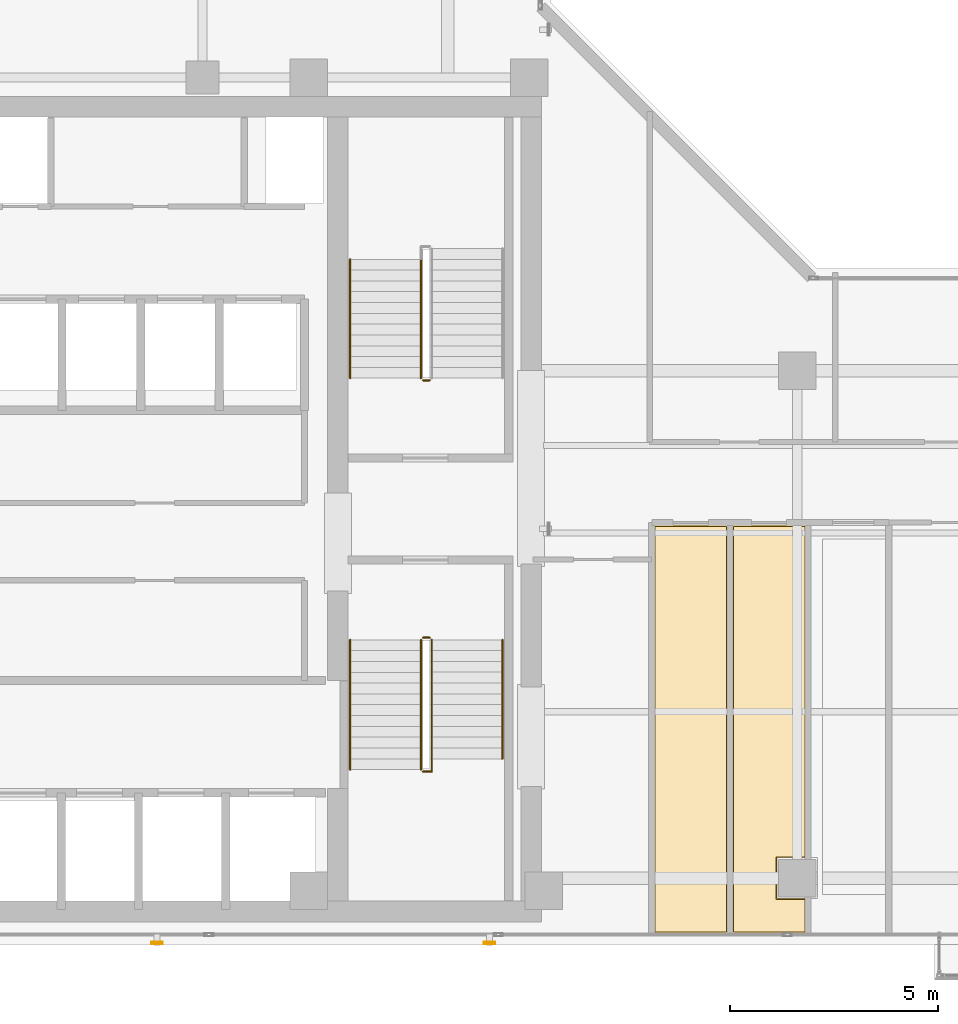
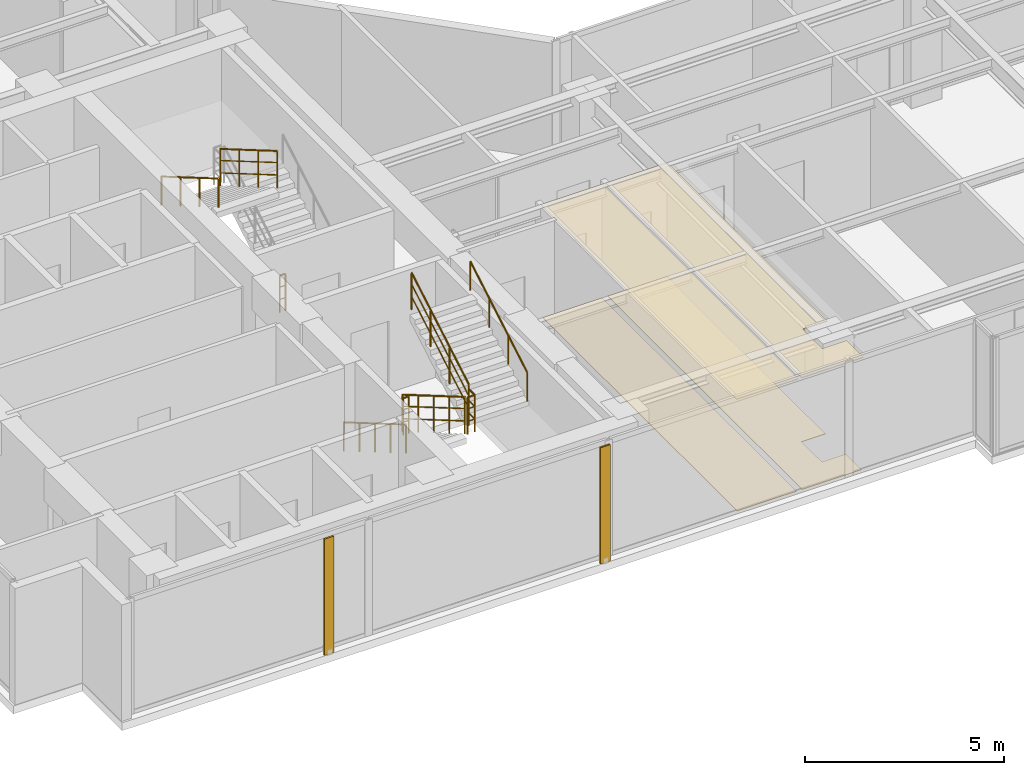
# One storey, part 20 of 22: 9 railings, 4 coverings, 2 shading devices.
"""IFC4 building model written with IfcOpenShell, lengths in metres."""

from ifc_helpers import new_model, si_unit, direction, frame, origin, origin_2d, place, context, subcontext, project, spatial, polyline, hollow_rectangle, circle, outline, extrude, material, layer, layer_set, material_profile, profile_set, type_object, element, save


model = new_model("IFC4")

# Units and contexts
model_context = context("Model", 3, precision=1e-05, world=origin(), true_north=direction((0.0, 1.0)))
body_context = subcontext(model_context, "Body", "Model", "MODEL_VIEW")
ifc_project = project(units=[si_unit("LENGTHUNIT", "METRE"), si_unit("AREAUNIT", "SQUARE_METRE"), si_unit("VOLUMEUNIT", "CUBIC_METRE"), si_unit("PLANEANGLEUNIT", "RADIAN"), si_unit("MASSUNIT", "GRAM", prefix="KILO")], contexts=[model_context])

# Site, building, storey
site_placement = place(None, origin())
site = spatial("IfcSite", under=ifc_project, at=site_placement, CompositionType="ELEMENT")
building_placement = place(site_placement, origin())
building = spatial("IfcBuilding", under=site, at=building_placement, Name="Kolvaren Waterfront Exchange", CompositionType="ELEMENT")
storey_placement = place(building_placement, frame((0.0, 0.0, 312.199951171875)))
storey = spatial("IfcBuildingStorey", under=building, at=storey_placement, Name="L80", CompositionType="ELEMENT", Elevation=312.199951171875)

# Coverings
ifc_material_1 = material(Name="Mineral fibre acoustic ceiling tile")
ifc_layer_1 = layer(ifc_material_1, 0.02490234375, Name="Mineral fibre acoustic ceiling tile")
ifc_layer_set_1 = layer_set([ifc_layer_1], Name="Mineral fibre acoustic ceiling tile")
covering_type_1 = type_object("IfcCoveringType", Name="ARC-CEIL-ACOUSTIC-25", PredefinedType="CEILING", material=ifc_layer_set_1)
covering_1_placement = place(storey_placement, frame((0.0, 0.0, 3.445068359375)))
element("IfcCovering", 1, at=covering_1_placement, inside=storey, type_object=covering_type_1, Name="L80 acoustic suspended ceiling 1", PredefinedType="CEILING", context=body_context, shape_type="SweptSolid", body=[
    extrude(outline(polyline([(25.534912109375, 3.864990234375), (25.534912109375, 13.695068359375), (23.7451171875, 13.695068359375), (23.7451171875, 3.864990234375), (25.534912109375, 3.864990234375)])), origin(), (0.0, 0.0, 1.0), 0.02490234375),
])
covering_2_placement = place(storey_placement, frame((0.0, 0.0, 3.445068359375)))
element("IfcCovering", 2, at=covering_2_placement, inside=storey, type_object=covering_type_1, Name="L80 acoustic suspended ceiling 2", PredefinedType="CEILING", context=body_context, shape_type="SweptSolid", body=[
    extrude(outline(polyline([(27.4150390625, 4.7099609375), (26.7099609375, 4.7099609375), (26.7099609375, 5.68994140625), (27.4150390625, 5.68994140625), (27.4150390625, 13.695068359375), (25.625, 13.695068359375), (25.625, 3.864990234375), (27.4150390625, 3.864990234375), (27.4150390625, 4.7099609375)])), origin(), (0.0, 0.0, 1.0), 0.02490234375),
])

# Shading devices
ifc_material_2 = material(Name="Anodised bronze aluminium 6063-T6", Category="aluminium")
ifc_material_profile = material_profile(ifc_material_2, hollow_rectangle(XDim=0.054931640625, YDim=0.280029296875, WallThickness=0.00439453125, at=origin_2d()), Name="BRZ-FIN-280x55x4.5")
ifc_profile_set = profile_set([ifc_material_profile], Name="Anodised bronze aluminium 6063-T6")
shading_device_type = type_object("IfcShadingDeviceType", Name="ARC-FIN-280", PredefinedType="USERDEFINED", material=ifc_profile_set)
for number, where, z_axis, x_axis, name in (
    (3, (11.800048828125, 3.639892578125, 0.0), (0.0, 0.0, 1.0), (0.0, -1.0, 0.0), "L80 anodised bronze solar shading fin FIN-L80-S1"),
    (4, (19.800048828125, 3.639892578125, 0.0), (0.0, 0.0, 1.0), (0.0, -1.0, 0.0), "L80 anodised bronze solar shading fin FIN-L80-S2"),
):
    element("IfcShadingDevice", number, at=place(storey_placement, frame(where, z_axis=z_axis, x_axis=x_axis)), inside=storey, type_object=shading_device_type, Name=name, ObjectType="SOLAR FIN", PredefinedType="USERDEFINED", context=body_context, shape_type="SweptSolid", body=[
        extrude(hollow_rectangle(XDim=0.054931640625, YDim=0.280029296875, WallThickness=0.00439453125, at=origin_2d()), origin(), (0.0, 0.0, 1.0), 3.56005859375),
    ])

# Coverings
ifc_material_3 = material(Name="Slip-resistant porcelain tile")
ifc_layer_2 = layer(ifc_material_3, 0.014892578125, Name="Slip-resistant porcelain tile")
ifc_layer_set_2 = layer_set([ifc_layer_2], Name="Slip-resistant porcelain tile")
covering_type_2 = type_object("IfcCoveringType", Name="ARC-FLR-PORC-15", PredefinedType="FLOORING", material=ifc_layer_set_2)
covering_3_placement = place(storey_placement, origin())
element("IfcCovering", 5, at=covering_3_placement, inside=storey, type_object=covering_type_2, Name="L80 floor finish 1", PredefinedType="FLOORING", context=body_context, shape_type="SweptSolid", body=[
    extrude(outline(polyline([(23.780029296875, 13.659912109375), (23.780029296875, 3.89990234375), (25.5, 3.89990234375), (25.5, 13.659912109375), (23.780029296875, 13.659912109375)])), origin(), (0.0, 0.0, 1.0), 0.01513671875),
])
covering_4_placement = place(storey_placement, origin())
element("IfcCovering", 6, at=covering_4_placement, inside=storey, type_object=covering_type_2, Name="L80 floor finish 2", PredefinedType="FLOORING", context=body_context, shape_type="SweptSolid", body=[
    extrude(outline(polyline([(25.659912109375, 13.659912109375), (25.659912109375, 3.89990234375), (27.3798828125, 3.89990234375), (27.3798828125, 4.68994140625), (26.68994140625, 4.68994140625), (26.68994140625, 5.7099609375), (27.3798828125, 5.7099609375), (27.3798828125, 13.659912109375), (25.659912109375, 13.659912109375)])), origin(), (0.0, 0.0, 1.0), 0.01513671875),
])

# Railings
ifc_material_4 = material(Name="Stainless steel 316", Category="steel")
railing_type_1 = type_object("IfcRailingType", Name="ARC-GUARD-STAIR", PredefinedType="GUARDRAIL", material=ifc_material_4)
railing_1_placement = place(storey_placement, frame((18.14990234375, 10.929931640625, 0.152099609375)))
element("IfcRailing", 7, at=railing_1_placement, inside=storey, type_object=railing_type_1, Name="L80 ST1 stair guard 1", PredefinedType="GUARDRAIL", context=body_context, shape_type="SweptSolid", body=[
    extrude(circle(Radius=0.02392578125, at=origin_2d()), frame((0.0, 0.0, 1.1259765625), z_axis=(0.0, -0.86329090724, 0.504706656858), x_axis=(1.0, 0.0, 0.0)), (0.0, 0.0, 1.0), 3.614013671875),
    extrude(circle(Radius=0.01611328125, at=origin_2d()), frame((0.0, 0.0, 0.390869140625), z_axis=(0.0, -0.86329090724, 0.504706656858), x_axis=(1.0, 0.0, 0.0)), (0.0, 0.0, 1.0), 3.614013671875),
    extrude(circle(Radius=0.01611328125, at=origin_2d()), frame((0.0, 0.0, 0.7705078125), z_axis=(0.0, -0.86329090724, 0.504706656858), x_axis=(1.0, 0.0, 0.0)), (0.0, 0.0, 1.0), 3.614013671875),
    extrude(circle(Radius=0.02099609375, at=origin_2d()), origin(), (0.0, 0.0, 1.0), 1.101806640625),
    extrude(circle(Radius=0.02099609375, at=origin_2d()), frame((0.0, -0.780029296875, 0.4560546875)), (0.0, 0.0, 1.0), 1.101806640625),
    extrude(circle(Radius=0.02099609375, at=origin_2d()), frame((0.0, -1.56005859375, 0.912109375)), (0.0, 0.0, 1.0), 1.101806640625),
    extrude(circle(Radius=0.02099609375, at=origin_2d()), frame((0.0, -2.33984375, 1.367919921875)), (0.0, 0.0, 1.0), 1.101806640625),
    extrude(circle(Radius=0.02099609375, at=origin_2d()), frame((0.0, -3.119873046875, 1.823974609375)), (0.0, 0.0, 1.0), 1.101806640625),
])
railing_2_placement = place(storey_placement, frame((18.199951171875, 7.760009765625, 1.97607421875)))
element("IfcRailing", 8, at=railing_2_placement, inside=storey, type_object=railing_type_1, Name="L80 ST1 stair guard 2", PredefinedType="GUARDRAIL", context=body_context, shape_type="SweptSolid", body=[
    extrude(circle(Radius=0.02392578125, at=origin_2d()), frame((0.0, 0.0, 1.1259765625), z_axis=(1.0, 0.0, 0.0), x_axis=(0.0, 1.0, 0.0)), (0.0, 0.0, 1.0), 0.2099609375),
    extrude(circle(Radius=0.01611328125, at=origin_2d()), frame((0.0, 0.0, 0.390869140625), z_axis=(1.0, 0.0, 0.0), x_axis=(0.0, 1.0, 0.0)), (0.0, 0.0, 1.0), 0.2099609375),
    extrude(circle(Radius=0.01611328125, at=origin_2d()), frame((0.0, 0.0, 0.7705078125), z_axis=(1.0, 0.0, 0.0), x_axis=(0.0, 1.0, 0.0)), (0.0, 0.0, 1.0), 0.2099609375),
    extrude(circle(Radius=0.02392578125, at=origin_2d()), frame((0.2099609375, 0.0, 1.1259765625), z_axis=(0.0, 1.0, 0.0), x_axis=(-1.0, 0.0, 0.0)), (0.0, 0.0, 1.0), 0.31005859375),
    extrude(circle(Radius=0.01611328125, at=origin_2d()), frame((0.2099609375, 0.0, 0.390869140625), z_axis=(0.0, 1.0, 0.0), x_axis=(-1.0, 0.0, 0.0)), (0.0, 0.0, 1.0), 0.31005859375),
    extrude(circle(Radius=0.01611328125, at=origin_2d()), frame((0.2099609375, 0.0, 0.7705078125), z_axis=(0.0, 1.0, 0.0), x_axis=(-1.0, 0.0, 0.0)), (0.0, 0.0, 1.0), 0.31005859375),
    extrude(circle(Radius=0.02099609375, at=origin_2d()), origin(), (0.0, 0.0, 1.0), 1.101806640625),
    extrude(circle(Radius=0.02099609375, at=origin_2d()), frame((0.2099609375, 0.0, 0.0)), (0.0, 0.0, 1.0), 1.101806640625),
    extrude(circle(Radius=0.02099609375, at=origin_2d()), frame((0.2099609375, 0.31005859375, 0.0)), (0.0, 0.0, 1.0), 1.101806640625),
])
railing_3_placement = place(storey_placement, frame((18.409912109375, 8.070068359375, 2.1279296875)))
element("IfcRailing", 9, at=railing_3_placement, inside=storey, type_object=railing_type_1, Name="L80 ST1 stair guard 3", PredefinedType="GUARDRAIL", context=body_context, shape_type="SweptSolid", body=[
    extrude(circle(Radius=0.02392578125, at=origin_2d()), frame((0.0, 0.0, 1.1259765625), z_axis=(0.0, 0.863270611444, 0.50474137082), x_axis=(-1.0, 0.0, 0.0)), (0.0, 0.0, 1.0), 3.312744140625),
    extrude(circle(Radius=0.01611328125, at=origin_2d()), frame((0.0, 0.0, 0.390869140625), z_axis=(0.0, 0.863270611444, 0.50474137082), x_axis=(-1.0, 0.0, 0.0)), (0.0, 0.0, 1.0), 3.312744140625),
    extrude(circle(Radius=0.01611328125, at=origin_2d()), frame((0.0, 0.0, 0.7705078125), z_axis=(0.0, 0.863270611444, 0.50474137082), x_axis=(-1.0, 0.0, 0.0)), (0.0, 0.0, 1.0), 3.312744140625),
    extrude(circle(Radius=0.02099609375, at=origin_2d()), origin(), (0.0, 0.0, 1.0), 1.101806640625),
    extrude(circle(Radius=0.02099609375, at=origin_2d()), frame((0.0, 0.953369140625, 0.557373046875)), (0.0, 0.0, 1.0), 1.101806640625),
    extrude(circle(Radius=0.02099609375, at=origin_2d()), frame((0.0, 1.906494140625, 1.11474609375)), (0.0, 0.0, 1.0), 1.101806640625),
    extrude(circle(Radius=0.02099609375, at=origin_2d()), frame((0.0, 2.85986328125, 1.672119140625)), (0.0, 0.0, 1.0), 1.101806640625),
])
railing_4_placement = place(storey_placement, frame((18.199951171875, 10.97998046875, 0.0)))
element("IfcRailing", 10, at=railing_4_placement, inside=storey, type_object=railing_type_1, Name="L80 ST1 stair guard 4", PredefinedType="GUARDRAIL", context=body_context, shape_type="SweptSolid", body=[
    extrude(circle(Radius=0.02392578125, at=origin_2d()), frame((0.0, 0.0, 1.1259765625), z_axis=(1.0, 0.0, 0.0), x_axis=(0.0, 1.0, 0.0)), (0.0, 0.0, 1.0), 0.16015625),
    extrude(circle(Radius=0.01611328125, at=origin_2d()), frame((0.0, 0.0, 0.390869140625), z_axis=(1.0, 0.0, 0.0), x_axis=(0.0, 1.0, 0.0)), (0.0, 0.0, 1.0), 0.16015625),
    extrude(circle(Radius=0.01611328125, at=origin_2d()), frame((0.0, 0.0, 0.7705078125), z_axis=(1.0, 0.0, 0.0), x_axis=(0.0, 1.0, 0.0)), (0.0, 0.0, 1.0), 0.16015625),
    extrude(circle(Radius=0.02099609375, at=origin_2d()), origin(), (0.0, 0.0, 1.0), 1.101806640625),
    extrude(circle(Radius=0.02099609375, at=origin_2d()), frame((0.16015625, 0.0, 0.0)), (0.0, 0.0, 1.0), 1.101806640625),
])
railing_5_placement = place(storey_placement, frame((18.14990234375, 20.080078125, 2.1279296875)))
element("IfcRailing", 11, at=railing_5_placement, inside=storey, type_object=railing_type_1, Name="L80 ST2 stair guard 3", PredefinedType="GUARDRAIL", context=body_context, shape_type="SweptSolid", body=[
    extrude(circle(Radius=0.02392578125, at=origin_2d()), frame((0.0, 0.0, 1.1259765625), z_axis=(0.0, -0.863289384635, 0.504709261235), x_axis=(1.0, 0.0, 0.0)), (0.0, 0.0, 1.0), 3.31298828125),
    extrude(circle(Radius=0.01611328125, at=origin_2d()), frame((0.0, 0.0, 0.390869140625), z_axis=(0.0, -0.863289384635, 0.504709261235), x_axis=(1.0, 0.0, 0.0)), (0.0, 0.0, 1.0), 3.31298828125),
    extrude(circle(Radius=0.01611328125, at=origin_2d()), frame((0.0, 0.0, 0.7705078125), z_axis=(0.0, -0.863289384635, 0.504709261235), x_axis=(1.0, 0.0, 0.0)), (0.0, 0.0, 1.0), 3.31298828125),
    extrude(circle(Radius=0.02099609375, at=origin_2d()), origin(), (0.0, 0.0, 1.0), 1.101806640625),
    extrude(circle(Radius=0.02099609375, at=origin_2d()), frame((0.0, -0.953369140625, 0.557373046875)), (0.0, 0.0, 1.0), 1.101806640625),
    extrude(circle(Radius=0.02099609375, at=origin_2d()), frame((0.0, -1.90673828125, 1.11474609375)), (0.0, 0.0, 1.0), 1.101806640625),
    extrude(circle(Radius=0.02099609375, at=origin_2d()), frame((0.0, -2.860107421875, 1.672119140625)), (0.0, 0.0, 1.0), 1.101806640625),
])
railing_6_placement = place(storey_placement, frame((18.360107421875, 17.169921875, 0.0)))
element("IfcRailing", 12, at=railing_6_placement, inside=storey, type_object=railing_type_1, Name="L80 ST2 stair guard 4", PredefinedType="GUARDRAIL", context=body_context, shape_type="SweptSolid", body=[
    extrude(circle(Radius=0.02392578125, at=origin_2d()), frame((0.0, 0.0, 1.1259765625), z_axis=(-1.0, 0.0, 0.0), x_axis=(0.0, -1.0, 0.0)), (0.0, 0.0, 1.0), 0.16015625),
    extrude(circle(Radius=0.01611328125, at=origin_2d()), frame((0.0, 0.0, 0.390869140625), z_axis=(-1.0, 0.0, 0.0), x_axis=(0.0, -1.0, 0.0)), (0.0, 0.0, 1.0), 0.16015625),
    extrude(circle(Radius=0.01611328125, at=origin_2d()), frame((0.0, 0.0, 0.7705078125), z_axis=(-1.0, 0.0, 0.0), x_axis=(0.0, -1.0, 0.0)), (0.0, 0.0, 1.0), 0.16015625),
    extrude(circle(Radius=0.02099609375, at=origin_2d()), origin(), (0.0, 0.0, 1.0), 1.101806640625),
    extrude(circle(Radius=0.02099609375, at=origin_2d()), frame((-0.16015625, 0.0, 0.0)), (0.0, 0.0, 1.0), 1.101806640625),
])
railing_type_2 = type_object("IfcRailingType", Name="ARC-HANDRAIL-900", PredefinedType="HANDRAIL", material=ifc_material_4)
railing_7_placement = place(storey_placement, frame((16.449951171875, 10.929931640625, 0.152099609375)))
element("IfcRailing", 13, at=railing_7_placement, inside=storey, type_object=railing_type_2, Name="L80 ST1 stair handrail 1", PredefinedType="HANDRAIL", context=body_context, shape_type="SweptSolid", body=[
    extrude(circle(Radius=0.02392578125, at=origin_2d()), frame((0.0, 0.0, 0.8759765625), z_axis=(0.0, -0.86329090724, 0.504706656858), x_axis=(1.0, 0.0, 0.0)), (0.0, 0.0, 1.0), 3.614013671875),
    extrude(circle(Radius=0.02099609375, at=origin_2d()), origin(), (0.0, 0.0, 1.0), 0.851806640625),
    extrude(circle(Radius=0.02099609375, at=origin_2d()), frame((0.0, -0.780029296875, 0.4560546875)), (0.0, 0.0, 1.0), 0.851806640625),
    extrude(circle(Radius=0.02099609375, at=origin_2d()), frame((0.0, -1.56005859375, 0.912109375)), (0.0, 0.0, 1.0), 0.851806640625),
    extrude(circle(Radius=0.02099609375, at=origin_2d()), frame((0.0, -2.33984375, 1.367919921875)), (0.0, 0.0, 1.0), 0.851806640625),
    extrude(circle(Radius=0.02099609375, at=origin_2d()), frame((0.0, -3.119873046875, 1.823974609375)), (0.0, 0.0, 1.0), 0.851806640625),
])
railing_8_placement = place(storey_placement, frame((20.110107421875, 8.070068359375, 2.1279296875)))
element("IfcRailing", 14, at=railing_8_placement, inside=storey, type_object=railing_type_2, Name="L80 ST1 stair handrail 2", PredefinedType="HANDRAIL", context=body_context, shape_type="SweptSolid", body=[
    extrude(circle(Radius=0.02392578125, at=origin_2d()), frame((0.0, 0.0, 0.8759765625), z_axis=(0.0, 0.863270611444, 0.50474137082), x_axis=(-1.0, 0.0, 0.0)), (0.0, 0.0, 1.0), 3.312744140625),
    extrude(circle(Radius=0.02099609375, at=origin_2d()), origin(), (0.0, 0.0, 1.0), 0.851806640625),
    extrude(circle(Radius=0.02099609375, at=origin_2d()), frame((0.0, 0.953369140625, 0.557373046875)), (0.0, 0.0, 1.0), 0.851806640625),
    extrude(circle(Radius=0.02099609375, at=origin_2d()), frame((0.0, 1.906494140625, 1.11474609375)), (0.0, 0.0, 1.0), 0.851806640625),
    extrude(circle(Radius=0.02099609375, at=origin_2d()), frame((0.0, 2.85986328125, 1.672119140625)), (0.0, 0.0, 1.0), 0.851806640625),
])
railing_9_placement = place(storey_placement, frame((16.449951171875, 20.080078125, 2.1279296875)))
element("IfcRailing", 15, at=railing_9_placement, inside=storey, type_object=railing_type_2, Name="L80 ST2 stair handrail 2", PredefinedType="HANDRAIL", context=body_context, shape_type="SweptSolid", body=[
    extrude(circle(Radius=0.02392578125, at=origin_2d()), frame((0.0, 0.0, 0.8759765625), z_axis=(0.0, -0.863289384635, 0.504709261235), x_axis=(1.0, 0.0, 0.0)), (0.0, 0.0, 1.0), 3.31298828125),
    extrude(circle(Radius=0.02099609375, at=origin_2d()), origin(), (0.0, 0.0, 1.0), 0.851806640625),
    extrude(circle(Radius=0.02099609375, at=origin_2d()), frame((0.0, -0.953369140625, 0.557373046875)), (0.0, 0.0, 1.0), 0.851806640625),
    extrude(circle(Radius=0.02099609375, at=origin_2d()), frame((0.0, -1.90673828125, 1.11474609375)), (0.0, 0.0, 1.0), 0.851806640625),
    extrude(circle(Radius=0.02099609375, at=origin_2d()), frame((0.0, -2.860107421875, 1.672119140625)), (0.0, 0.0, 1.0), 0.851806640625),
])

save(model, "model.ifc")
